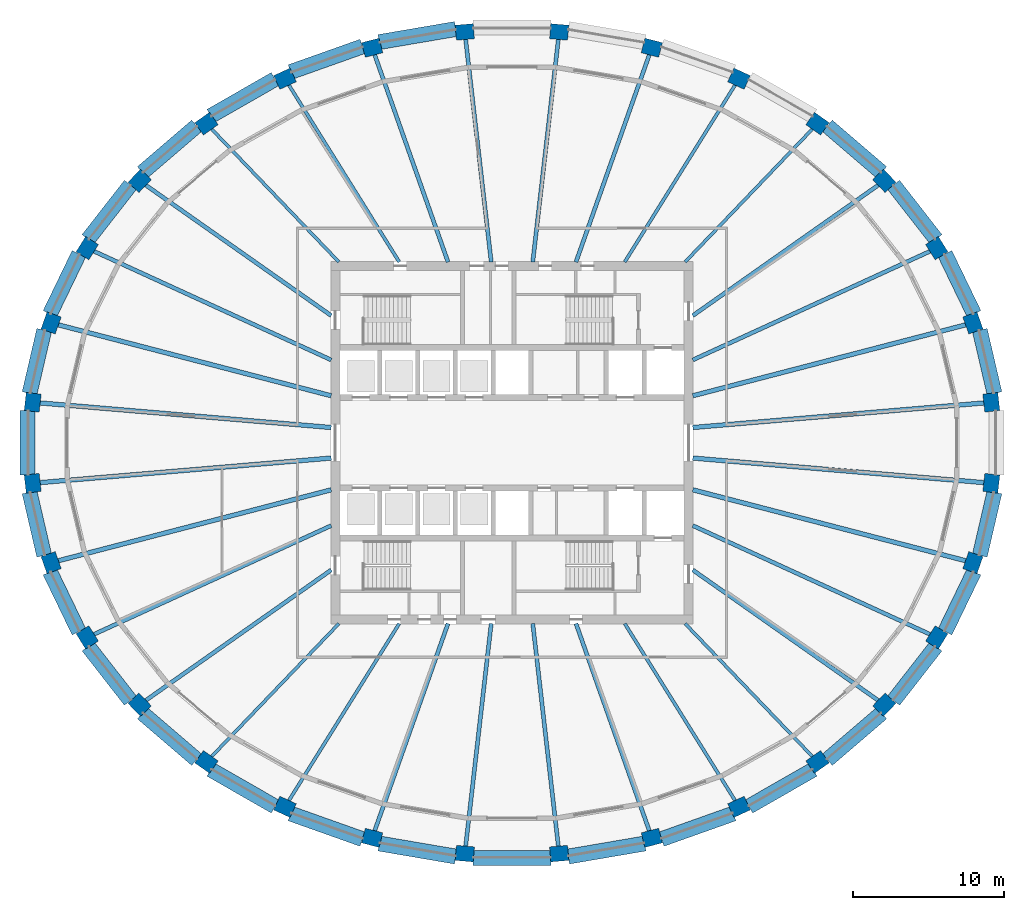
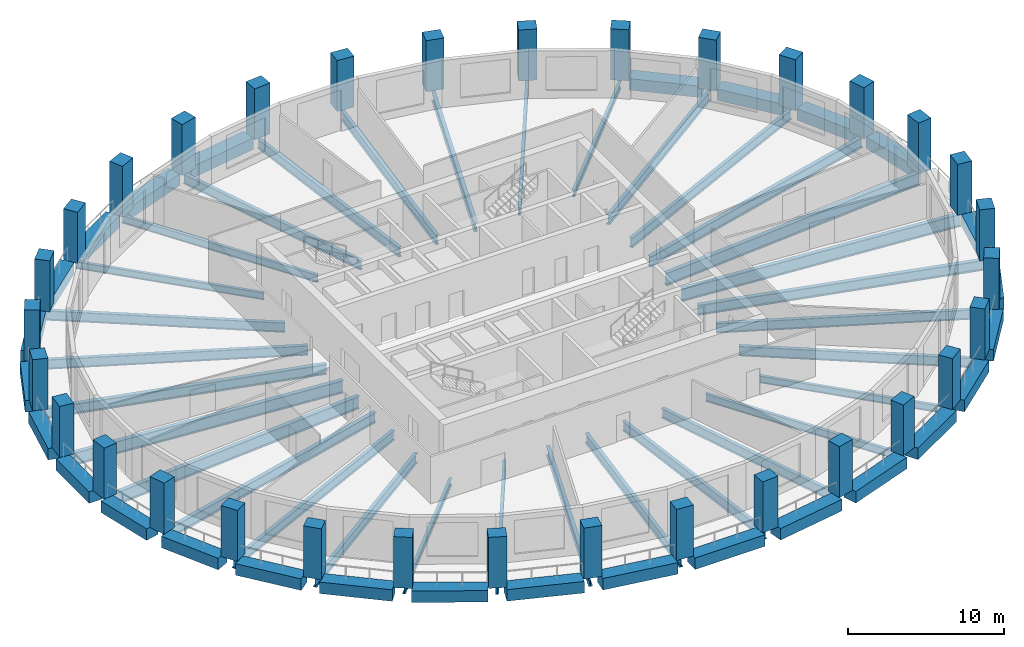
# One storey, part 1 of 10: 59 beams, 32 columns.
"""IFC4 building model written with IfcOpenShell, lengths in metres."""

from ifc_helpers import new_model, si_unit, direction, frame, origin, origin_2d, place, context, subcontext, project, spatial, rectangle, i_section, extrude, material, material_profile, profile_set, type_object, element, save


model = new_model("IFC4")

# Units and contexts
model_context = context("Model", 3, precision=1e-05, world=origin(), true_north=direction((0.0, 1.0)))
body_context = subcontext(model_context, "Body", "Model", "MODEL_VIEW")
ifc_project = project(units=[si_unit("LENGTHUNIT", "METRE"), si_unit("AREAUNIT", "SQUARE_METRE"), si_unit("VOLUMEUNIT", "CUBIC_METRE"), si_unit("PLANEANGLEUNIT", "RADIAN"), si_unit("MASSUNIT", "GRAM", prefix="KILO")], contexts=[model_context])

# Site, building, storey
site_placement = place(None, origin())
site = spatial("IfcSite", under=ifc_project, at=site_placement, CompositionType="ELEMENT")
building_placement = place(site_placement, origin())
building = spatial("IfcBuilding", under=site, at=building_placement, Name="Halqa Exchange Tower", CompositionType="ELEMENT")
storey_placement = place(building_placement, frame((0.0, 0.0, 210.89990234375)))
storey = spatial("IfcBuildingStorey", under=building, at=storey_placement, Name="L48", CompositionType="ELEMENT", Elevation=210.89990234375)

# Columns
ifc_material_1 = material(Name="Concrete C60/75", Category="concrete")
ifc_material_profile_1 = material_profile(ifc_material_1, rectangle(XDim=1.199951171875, YDim=1.0, at=origin_2d()), Name="1200 x 1000")
ifc_profile_set_1 = profile_set([ifc_material_profile_1], Name="Concrete C60/75")
column_type = type_object("IfcColumnType", Name="RC ring column 1200 x 1000 C60/75", PredefinedType="COLUMN", material=ifc_profile_set_1)
for number, where, z_axis, x_axis, name in (
    (1, (31.7412109375, 2.6796875, 0.0), (0.0, 0.0, 1.0), (-0.114156921978, 0.993462730637, 0.0), "Ring column 1"),
    (2, (30.521240234375, 7.935791015625, 0.0), (0.0, 0.0, 1.0), (-0.333625878908, 0.942705560036, 0.0), "Ring column 2"),
    (3, (28.128662109375, 12.88720703125, 0.0), (0.0, 0.0, 1.0), (-0.529144939165, 0.848531456904, 0.0), "Ring column 3"),
    (4, (24.65478515625, 17.34326171875, 0.0), (0.0, 0.0, 1.0), (-0.691574830638, 0.722304820438, 0.0), "Ring column 4"),
    (5, (20.23388671875, 21.1328125, 0.0), (0.0, 0.0, 1.0), (-0.817905775493, 0.575352189893, 0.0), "Ring column 5"),
    (6, (15.03515625, 24.110107421875, 0.0), (0.0, 0.0, 1.0), (-0.909129276708, 0.416514055265, 0.0), "Ring column 6"),
    (7, (9.258544921875, 26.1611328125, 0.0), (0.0, 0.0, 1.0), (-0.967818625157, 0.251648780643, 0.0), "Ring column 7"),
    (8, (3.126220703125, 27.206787109375, 0.0), (0.0, 0.0, 1.0), (-0.996454931683, 0.084128289675, 0.0), "Ring column 8"),
    (9, (-3.126220703125, 27.206787109375, 0.0), (0.0, 0.0, 1.0), (-0.996454931683, -0.084128289675, 0.0), "Ring column 9"),
    (10, (-9.258544921875, 26.1611328125, 0.0), (0.0, 0.0, 1.0), (-0.967818625157, -0.251648780643, 0.0), "Ring column 10"),
    (11, (-15.03515625, 24.110107421875, 0.0), (0.0, 0.0, 1.0), (-0.909129276708, -0.416514055265, 0.0), "Ring column 11"),
    (12, (-20.23388671875, 21.1328125, 0.0), (0.0, 0.0, 1.0), (-0.817905775493, -0.575352189893, 0.0), "Ring column 12"),
    (13, (-24.65478515625, 17.34326171875, 0.0), (0.0, 0.0, 1.0), (-0.691574830638, -0.722304820438, 0.0), "Ring column 13"),
    (14, (-28.128662109375, 12.88720703125, 0.0), (0.0, 0.0, 1.0), (-0.529144939165, -0.848531456904, 0.0), "Ring column 14"),
    (15, (-30.521240234375, 7.935791015625, 0.0), (0.0, 0.0, 1.0), (-0.333625878908, -0.942705560036, 0.0), "Ring column 15"),
    (16, (-31.7412109375, 2.6796875, 0.0), (0.0, 0.0, 1.0), (-0.114156921978, -0.993462730637, 0.0), "Ring column 16"),
    (17, (-31.7412109375, -2.6796875, 0.0), (0.0, 0.0, 1.0), (0.114156921978, -0.993462730637, 0.0), "Ring column 17"),
    (18, (-30.521240234375, -7.935791015625, 0.0), (0.0, 0.0, 1.0), (0.333625878908, -0.942705560036, 0.0), "Ring column 18"),
    (19, (-28.128662109375, -12.88720703125, 0.0), (0.0, 0.0, 1.0), (0.529144939165, -0.848531456904, 0.0), "Ring column 19"),
    (20, (-24.65478515625, -17.34326171875, 0.0), (0.0, 0.0, 1.0), (0.691574830638, -0.722304820438, 0.0), "Ring column 20"),
    (21, (-20.23388671875, -21.1328125, 0.0), (0.0, 0.0, 1.0), (0.817905775493, -0.575352189893, 0.0), "Ring column 21"),
    (22, (-15.03515625, -24.110107421875, 0.0), (0.0, 0.0, 1.0), (0.909129276708, -0.416514055265, 0.0), "Ring column 22"),
    (23, (-9.258544921875, -26.1611328125, 0.0), (0.0, 0.0, 1.0), (0.967818625157, -0.251648780643, 0.0), "Ring column 23"),
    (24, (-3.126220703125, -27.206787109375, 0.0), (0.0, 0.0, 1.0), (0.996454931683, -0.084128289675, 0.0), "Ring column 24"),
    (25, (3.126220703125, -27.206787109375, 0.0), (0.0, 0.0, 1.0), (0.996454931683, 0.084128289675, 0.0), "Ring column 25"),
    (26, (9.258544921875, -26.1611328125, 0.0), (0.0, 0.0, 1.0), (0.967818625157, 0.251648780643, 0.0), "Ring column 26"),
    (27, (15.03515625, -24.110107421875, 0.0), (0.0, 0.0, 1.0), (0.909129276708, 0.416514055265, 0.0), "Ring column 27"),
    (28, (20.23388671875, -21.1328125, 0.0), (0.0, 0.0, 1.0), (0.817905775493, 0.575352189893, 0.0), "Ring column 28"),
    (29, (24.65478515625, -17.34326171875, 0.0), (0.0, 0.0, 1.0), (0.691574830638, 0.722304820438, 0.0), "Ring column 29"),
    (30, (28.128662109375, -12.88720703125, 0.0), (0.0, 0.0, 1.0), (0.529144939165, 0.848531456904, 0.0), "Ring column 30"),
    (31, (30.521240234375, -7.935791015625, 0.0), (0.0, 0.0, 1.0), (0.333625878908, 0.942705560036, 0.0), "Ring column 31"),
    (32, (31.7412109375, -2.6796875, 0.0), (0.0, 0.0, 1.0), (0.114156921978, 0.993462730637, 0.0), "Ring column 32"),
):
    element("IfcColumn", number, at=place(storey_placement, frame(where, z_axis=z_axis, x_axis=x_axis)), inside=storey, type_object=column_type, Name=name, PredefinedType="COLUMN", context=body_context, shape_type="SweptSolid", body=[
        extrude(rectangle(XDim=1.199951171875, YDim=1.0, at=origin_2d()), origin(), (0.0, 0.0, 1.0), 4.0),
    ])

# Beams
ifc_material_2 = material(Name="Steel S355", Category="steel")
ifc_material_profile_2 = material_profile(ifc_material_2, i_section(OverallWidth=0.300048828125, OverallDepth=0.989990234375, WebThickness=0.0166015625, FlangeThickness=0.031005859375, FilletRadius=0.030029296875, at=origin_2d()), Name="HEA 1000")
ifc_profile_set_2 = profile_set([ifc_material_profile_2], Name="Steel S355")
beam_type_1 = type_object("IfcBeamType", Name="Floor beam HEA 1000", PredefinedType="BEAM", material=ifc_profile_set_2)
for number, where, z_axis, x_axis, name in (
    (33, (11.972412109375, 1.0107421875, -0.794921875), (0.996455847373, 0.084117443114, 0.0), (-0.084117443114, 0.996455847373, 0.0), "Radial beam 1"),
    (34, (-11.972412109375, 1.0107421875, -0.794921875), (-0.996455847373, 0.084117443114, 0.0), (-0.084117443114, -0.996455847373, 0.0), "Radial beam 16"),
    (35, (-11.972412109375, -1.0107421875, -0.794921875), (-0.996455847373, -0.084117443114, 0.0), (0.084117443114, -0.996455847373, 0.0), "Radial beam 17"),
    (36, (11.972412109375, -1.0107421875, -0.794921875), (0.996455847373, -0.084117443114, 0.0), (0.084117443114, 0.996455847373, 0.0), "Radial beam 32"),
):
    element("IfcBeam", number, at=place(storey_placement, frame(where, z_axis=z_axis, x_axis=x_axis)), inside=storey, type_object=beam_type_1, Name=name, PredefinedType="BEAM", context=body_context, shape_type="SweptSolid", body=[
        extrude(i_section(OverallWidth=0.300048828125, OverallDepth=0.989990234375, WebThickness=0.0166015625, FlangeThickness=0.031005859375, FilletRadius=0.030029296875, at=origin_2d()), origin(), (0.0, 0.0, 1.0), 19.808837890625),
    ])
ifc_material_profile_3 = material_profile(ifc_material_2, i_section(OverallWidth=0.300048828125, OverallDepth=0.800048828125, WebThickness=0.017578125, FlangeThickness=0.032958984375, FilletRadius=0.030029296875, at=origin_2d()), Name="HEB 800")
ifc_profile_set_3 = profile_set([ifc_material_profile_3], Name="Steel S355")
beam_type_2 = type_object("IfcBeamType", Name="Floor beam HEB 800", PredefinedType="BEAM", material=ifc_profile_set_3)
for number, where, z_axis, x_axis, name in (
    (37, (11.97119140625, 3.11279296875, -0.699951171875), (0.967820642046, 0.251641023741, 0.0), (-0.251641023741, 0.967820642046, 0.0), "Radial beam 2"),
    (38, (-11.97119140625, 3.11279296875, -0.699951171875), (-0.967820642046, 0.251641023741, 0.0), (-0.251641023741, -0.967820642046, 0.0), "Radial beam 15"),
    (39, (-11.97119140625, -3.11279296875, -0.699951171875), (-0.967820642046, -0.251641023741, 0.0), (0.251641023741, -0.967820642046, 0.0), "Radial beam 18"),
    (40, (11.97119140625, -3.11279296875, -0.699951171875), (0.967820642046, -0.251641023741, 0.0), (0.251641023741, 0.967820642046, 0.0), "Radial beam 31"),
):
    element("IfcBeam", number, at=place(storey_placement, frame(where, z_axis=z_axis, x_axis=x_axis)), inside=storey, type_object=beam_type_2, Name=name, PredefinedType="BEAM", context=body_context, shape_type="SweptSolid", body=[
        extrude(i_section(OverallWidth=0.300048828125, OverallDepth=0.800048828125, WebThickness=0.017578125, FlangeThickness=0.032958984375, FilletRadius=0.030029296875, at=origin_2d()), origin(), (0.0, 0.0, 1.0), 19.13134765625),
    ])
ifc_material_profile_4 = material_profile(ifc_material_2, i_section(OverallWidth=0.2099609375, OverallDepth=0.550048828125, WebThickness=0.010986328125, FlangeThickness=0.01708984375, FilletRadius=0.02392578125, at=origin_2d()), Name="IPE 550")
ifc_profile_set_4 = profile_set([ifc_material_profile_4], Name="Steel S355")
beam_type_3 = type_object("IfcBeamType", Name="Floor beam IPE 550", PredefinedType="BEAM", material=ifc_profile_set_4)
for number, where, z_axis, x_axis, name in (
    (41, (11.462646484375, 11.971923828125, -0.574951171875), (0.691580517916, 0.722299375079, 0.0), (-0.722299375079, 0.691580517916, 0.0), "Radial beam 5"),
    (42, (-11.462646484375, 11.971923828125, -0.574951171875), (-0.691580517916, 0.722299375079, 0.0), (-0.722299375079, -0.691580517916, 0.0), "Radial beam 12"),
    (43, (-11.462646484375, -11.971923828125, -0.574951171875), (-0.691580517916, -0.722299375079, 0.0), (0.722299375079, -0.691580517916, 0.0), "Radial beam 21"),
    (44, (11.462646484375, -11.971923828125, -0.574951171875), (0.691580517916, -0.722299375079, 0.0), (0.722299375079, 0.691580517916, 0.0), "Radial beam 28"),
):
    element("IfcBeam", number, at=place(storey_placement, frame(where, z_axis=z_axis, x_axis=x_axis)), inside=storey, type_object=beam_type_3, Name=name, PredefinedType="BEAM", context=body_context, shape_type="SweptSolid", body=[
        extrude(i_section(OverallWidth=0.2099609375, OverallDepth=0.550048828125, WebThickness=0.010986328125, FlangeThickness=0.01708984375, FilletRadius=0.02392578125, at=origin_2d()), origin(), (0.0, 0.0, 1.0), 12.620849609375),
    ])
ifc_material_profile_5 = material_profile(ifc_material_2, i_section(OverallWidth=0.219970703125, OverallDepth=0.60009765625, WebThickness=0.011962890625, FlangeThickness=0.01904296875, FilletRadius=0.02392578125, at=origin_2d()), Name="IPE 600")
ifc_profile_set_5 = profile_set([ifc_material_profile_5], Name="Steel S355")
beam_type_4 = type_object("IfcBeamType", Name="Floor beam IPE 600", PredefinedType="BEAM", material=ifc_profile_set_5)
for number, where, z_axis, x_axis, name in (
    (45, (7.466064453125, 11.972412109375, -0.599853515625), (0.529133693888, 0.848538469365, 0.0), (-0.848538469365, 0.529133693888, 0.0), "Radial beam 6"),
    (46, (-7.466064453125, 11.972412109375, -0.599853515625), (-0.529133693888, 0.848538469365, 0.0), (-0.848538469365, -0.529133693888, 0.0), "Radial beam 11"),
    (47, (-7.466064453125, -11.972412109375, -0.599853515625), (-0.529133693888, -0.848538469365, 0.0), (0.848538469365, -0.529133693888, 0.0), "Radial beam 22"),
    (48, (7.466064453125, -11.972412109375, -0.599853515625), (0.529133693888, -0.848538469365, 0.0), (0.848538469365, 0.529133693888, 0.0), "Radial beam 27"),
):
    element("IfcBeam", number, at=place(storey_placement, frame(where, z_axis=z_axis, x_axis=x_axis)), inside=storey, type_object=beam_type_4, Name=name, PredefinedType="BEAM", context=body_context, shape_type="SweptSolid", body=[
        extrude(i_section(OverallWidth=0.219970703125, OverallDepth=0.60009765625, WebThickness=0.011962890625, FlangeThickness=0.01904296875, FilletRadius=0.02392578125, at=origin_2d()), origin(), (0.0, 0.0, 1.0), 14.233154296875),
    ])
ifc_material_profile_6 = material_profile(ifc_material_2, i_section(OverallWidth=0.264892578125, OverallDepth=0.7529296875, WebThickness=0.01318359375, FlangeThickness=0.01708984375, FilletRadius=0.01708984375, at=origin_2d()), Name="IPE 750x147")
ifc_profile_set_6 = profile_set([ifc_material_profile_6], Name="Steel S355")
beam_type_5 = type_object("IfcBeamType", Name="Floor beam IPE 750x147", PredefinedType="BEAM", material=ifc_profile_set_6)
beam_1_placement = place(storey_placement, frame((11.972412109375, 5.485107421875, -0.676513671875), z_axis=(0.909122412796, 0.416529036866, 0.0), x_axis=(-0.416529036866, 0.909122412796, 0.0)))
element("IfcBeam", 49, at=beam_1_placement, inside=storey, type_object=beam_type_5, Name="Radial beam 3", PredefinedType="BEAM", context=body_context, shape_type="SweptSolid", body=[
    extrude(i_section(OverallWidth=0.264892578125, OverallDepth=0.7529296875, WebThickness=0.01318359375, FlangeThickness=0.01708984375, FilletRadius=0.01708984375, at=origin_2d()), origin(), (0.0, 0.0, 1.0), 17.72705078125),
])
beam_2_placement = place(storey_placement, frame((11.97216796875, 8.421630859375, -0.676513671875), z_axis=(0.817904167893, 0.575354475209, 0.0), x_axis=(-0.575354475209, 0.817904167893, 0.0)))
element("IfcBeam", 50, at=beam_2_placement, inside=storey, type_object=beam_type_5, Name="Radial beam 4", PredefinedType="BEAM", context=body_context, shape_type="SweptSolid", body=[
    extrude(i_section(OverallWidth=0.264892578125, OverallDepth=0.7529296875, WebThickness=0.01318359375, FlangeThickness=0.01708984375, FilletRadius=0.01708984375, at=origin_2d()), origin(), (0.0, 0.0, 1.0), 15.45361328125),
])
beam_3_placement = place(storey_placement, frame((4.23681640625, 11.9716796875, -0.676513671875), z_axis=(0.333619887143, 0.942707680515, 0.0), x_axis=(-0.942707680515, 0.333619887143, 0.0)))
element("IfcBeam", 51, at=beam_3_placement, inside=storey, type_object=beam_type_5, Name="Radial beam 7", PredefinedType="BEAM", context=body_context, shape_type="SweptSolid", body=[
    extrude(i_section(OverallWidth=0.264892578125, OverallDepth=0.7529296875, WebThickness=0.01318359375, FlangeThickness=0.01708984375, FilletRadius=0.01708984375, at=origin_2d()), origin(), (0.0, 0.0, 1.0), 14.975341796875),
])
for number, where, z_axis, x_axis, name in (
    (52, (1.375732421875, 11.972900390625, -0.676513671875), (0.114150913868, 0.993463420999, 0.0), (-0.993463420999, 0.114150913868, 0.0), "Radial beam 8"),
    (53, (-1.375732421875, 11.972900390625, -0.676513671875), (-0.114150913868, 0.993463420999, 0.0), (-0.993463420999, -0.114150913868, 0.0), "Radial beam 9"),
):
    element("IfcBeam", number, at=place(storey_placement, frame(where, z_axis=z_axis, x_axis=x_axis)), inside=storey, type_object=beam_type_5, Name=name, PredefinedType="BEAM", context=body_context, shape_type="SweptSolid", body=[
        extrude(i_section(OverallWidth=0.264892578125, OverallDepth=0.7529296875, WebThickness=0.01318359375, FlangeThickness=0.01708984375, FilletRadius=0.01708984375, at=origin_2d()), origin(), (0.0, 0.0, 1.0), 15.255615234375),
    ])
beam_4_placement = place(storey_placement, frame((-4.23681640625, 11.9716796875, -0.676513671875), z_axis=(-0.333619887143, 0.942707680515, 0.0), x_axis=(-0.942707680515, -0.333619887143, 0.0)))
element("IfcBeam", 54, at=beam_4_placement, inside=storey, type_object=beam_type_5, Name="Radial beam 10", PredefinedType="BEAM", context=body_context, shape_type="SweptSolid", body=[
    extrude(i_section(OverallWidth=0.264892578125, OverallDepth=0.7529296875, WebThickness=0.01318359375, FlangeThickness=0.01708984375, FilletRadius=0.01708984375, at=origin_2d()), origin(), (0.0, 0.0, 1.0), 14.975341796875),
])
beam_5_placement = place(storey_placement, frame((-11.97216796875, 8.421630859375, -0.676513671875), z_axis=(-0.817904167893, 0.575354475209, 0.0), x_axis=(-0.575354475209, -0.817904167893, 0.0)))
element("IfcBeam", 55, at=beam_5_placement, inside=storey, type_object=beam_type_5, Name="Radial beam 13", PredefinedType="BEAM", context=body_context, shape_type="SweptSolid", body=[
    extrude(i_section(OverallWidth=0.264892578125, OverallDepth=0.7529296875, WebThickness=0.01318359375, FlangeThickness=0.01708984375, FilletRadius=0.01708984375, at=origin_2d()), origin(), (0.0, 0.0, 1.0), 15.45361328125),
])
for number, where, z_axis, x_axis, name in (
    (56, (-11.972412109375, 5.485107421875, -0.676513671875), (-0.909122412796, 0.416529036866, 0.0), (-0.416529036866, -0.909122412796, 0.0), "Radial beam 14"),
    (57, (-11.972412109375, -5.485107421875, -0.676513671875), (-0.909122412796, -0.416529036866, 0.0), (0.416529036866, -0.909122412796, 0.0), "Radial beam 19"),
):
    element("IfcBeam", number, at=place(storey_placement, frame(where, z_axis=z_axis, x_axis=x_axis)), inside=storey, type_object=beam_type_5, Name=name, PredefinedType="BEAM", context=body_context, shape_type="SweptSolid", body=[
        extrude(i_section(OverallWidth=0.264892578125, OverallDepth=0.7529296875, WebThickness=0.01318359375, FlangeThickness=0.01708984375, FilletRadius=0.01708984375, at=origin_2d()), origin(), (0.0, 0.0, 1.0), 17.72705078125),
    ])
beam_6_placement = place(storey_placement, frame((-11.97216796875, -8.421630859375, -0.676513671875), z_axis=(-0.817904167893, -0.575354475209, 0.0), x_axis=(0.575354475209, -0.817904167893, 0.0)))
element("IfcBeam", 58, at=beam_6_placement, inside=storey, type_object=beam_type_5, Name="Radial beam 20", PredefinedType="BEAM", context=body_context, shape_type="SweptSolid", body=[
    extrude(i_section(OverallWidth=0.264892578125, OverallDepth=0.7529296875, WebThickness=0.01318359375, FlangeThickness=0.01708984375, FilletRadius=0.01708984375, at=origin_2d()), origin(), (0.0, 0.0, 1.0), 15.45361328125),
])
beam_7_placement = place(storey_placement, frame((-4.23681640625, -11.9716796875, -0.676513671875), z_axis=(-0.333619887143, -0.942707680515, 0.0), x_axis=(0.942707680515, -0.333619887143, 0.0)))
element("IfcBeam", 59, at=beam_7_placement, inside=storey, type_object=beam_type_5, Name="Radial beam 23", PredefinedType="BEAM", context=body_context, shape_type="SweptSolid", body=[
    extrude(i_section(OverallWidth=0.264892578125, OverallDepth=0.7529296875, WebThickness=0.01318359375, FlangeThickness=0.01708984375, FilletRadius=0.01708984375, at=origin_2d()), origin(), (0.0, 0.0, 1.0), 14.975341796875),
])
for number, where, z_axis, x_axis, name in (
    (60, (-1.375732421875, -11.972900390625, -0.676513671875), (-0.114150913868, -0.993463420999, 0.0), (0.993463420999, -0.114150913868, 0.0), "Radial beam 24"),
    (61, (1.375732421875, -11.972900390625, -0.676513671875), (0.114150913868, -0.993463420999, 0.0), (0.993463420999, 0.114150913868, 0.0), "Radial beam 25"),
):
    element("IfcBeam", number, at=place(storey_placement, frame(where, z_axis=z_axis, x_axis=x_axis)), inside=storey, type_object=beam_type_5, Name=name, PredefinedType="BEAM", context=body_context, shape_type="SweptSolid", body=[
        extrude(i_section(OverallWidth=0.264892578125, OverallDepth=0.7529296875, WebThickness=0.01318359375, FlangeThickness=0.01708984375, FilletRadius=0.01708984375, at=origin_2d()), origin(), (0.0, 0.0, 1.0), 15.255615234375),
    ])
beam_8_placement = place(storey_placement, frame((4.23681640625, -11.9716796875, -0.676513671875), z_axis=(0.333619887143, -0.942707680515, 0.0), x_axis=(0.942707680515, 0.333619887143, 0.0)))
element("IfcBeam", 62, at=beam_8_placement, inside=storey, type_object=beam_type_5, Name="Radial beam 26", PredefinedType="BEAM", context=body_context, shape_type="SweptSolid", body=[
    extrude(i_section(OverallWidth=0.264892578125, OverallDepth=0.7529296875, WebThickness=0.01318359375, FlangeThickness=0.01708984375, FilletRadius=0.01708984375, at=origin_2d()), origin(), (0.0, 0.0, 1.0), 14.975341796875),
])
beam_9_placement = place(storey_placement, frame((11.97216796875, -8.421630859375, -0.676513671875), z_axis=(0.817904167893, -0.575354475209, 0.0), x_axis=(0.575354475209, 0.817904167893, 0.0)))
element("IfcBeam", 63, at=beam_9_placement, inside=storey, type_object=beam_type_5, Name="Radial beam 29", PredefinedType="BEAM", context=body_context, shape_type="SweptSolid", body=[
    extrude(i_section(OverallWidth=0.264892578125, OverallDepth=0.7529296875, WebThickness=0.01318359375, FlangeThickness=0.01708984375, FilletRadius=0.01708984375, at=origin_2d()), origin(), (0.0, 0.0, 1.0), 15.45361328125),
])
beam_10_placement = place(storey_placement, frame((11.972412109375, -5.485107421875, -0.676513671875), z_axis=(0.909122412796, -0.416529036866, 0.0), x_axis=(0.416529036866, 0.909122412796, 0.0)))
element("IfcBeam", 64, at=beam_10_placement, inside=storey, type_object=beam_type_5, Name="Radial beam 30", PredefinedType="BEAM", context=body_context, shape_type="SweptSolid", body=[
    extrude(i_section(OverallWidth=0.264892578125, OverallDepth=0.7529296875, WebThickness=0.01318359375, FlangeThickness=0.01708984375, FilletRadius=0.01708984375, at=origin_2d()), origin(), (0.0, 0.0, 1.0), 17.72705078125),
])
ifc_material_profile_7 = material_profile(ifc_material_1, rectangle(XDim=1.0, YDim=0.89990234375, at=origin_2d()), Name="1000 x 900")
ifc_profile_set_7 = profile_set([ifc_material_profile_7], Name="Concrete C60/75")
beam_type_6 = type_object("IfcBeamType", Name="RC spandrel beam 1000 x 900 C60/75", PredefinedType="SPANDREL", material=ifc_profile_set_7)
beam_11_placement = place(storey_placement, frame((31.951416015625, 3.269775390625, -0.449951171875), z_axis=(-0.226102781775, 0.974103450396, 0.0), x_axis=(-0.974103450396, -0.226102781775, 0.0)))
element("IfcBeam", 65, at=beam_11_placement, inside=storey, type_object=beam_type_6, Name="Spandrel 1", PredefinedType="SPANDREL", context=body_context, shape_type="SweptSolid", body=[
    extrude(rectangle(XDim=1.0, YDim=0.89990234375, at=origin_2d()), origin(), (0.0, 0.0, 1.0), 4.3017578125),
])
beam_12_placement = place(storey_placement, frame((30.5986328125, 8.53857421875, -0.449951171875), z_axis=(-0.435097564922, 0.900383312261, 0.0), x_axis=(-0.900383312261, -0.435097564922, 0.0)))
element("IfcBeam", 66, at=beam_12_placement, inside=storey, type_object=beam_type_6, Name="Spandrel 2", PredefinedType="SPANDREL", context=body_context, shape_type="SweptSolid", body=[
    extrude(rectangle(XDim=1.0, YDim=0.89990234375, at=origin_2d()), origin(), (0.0, 0.0, 1.0), 4.407470703125),
])
beam_13_placement = place(storey_placement, frame((28.0771484375, 13.478515625, -0.449951171875), z_axis=(-0.614814790749, 0.788671524195, 0.0), x_axis=(-0.788671524195, -0.614814790749, 0.0)))
element("IfcBeam", 67, at=beam_13_placement, inside=storey, type_object=beam_type_6, Name="Spandrel 3", PredefinedType="SPANDREL", context=body_context, shape_type="SweptSolid", body=[
    extrude(rectangle(XDim=1.0, YDim=0.89990234375, at=origin_2d()), origin(), (0.0, 0.0, 1.0), 4.56103515625),
])
beam_14_placement = place(storey_placement, frame((24.483642578125, 17.902587890625, -0.449951171875), z_axis=(-0.759242050572, 0.650808350164, 0.0), x_axis=(-0.650808350164, -0.759242050572, 0.0)))
element("IfcBeam", 68, at=beam_14_placement, inside=storey, type_object=beam_type_6, Name="Spandrel 4", PredefinedType="SPANDREL", context=body_context, shape_type="SweptSolid", body=[
    extrude(rectangle(XDim=1.0, YDim=0.89990234375, at=origin_2d()), origin(), (0.0, 0.0, 1.0), 4.7373046875),
])
beam_15_placement = place(storey_placement, frame((-3.725341796875, 27.402099609375, -0.449951171875), z_axis=(-0.985769464363, -0.168102834982, 0.0), x_axis=(0.168102834982, -0.985769464363, 0.0)))
element("IfcBeam", 69, at=beam_15_placement, inside=storey, type_object=beam_type_6, Name="Spandrel 9", PredefinedType="SPANDREL", context=body_context, shape_type="SweptSolid", body=[
    extrude(rectangle(XDim=1.0, YDim=0.89990234375, at=origin_2d()), origin(), (0.0, 0.0, 1.0), 5.139892578125),
])
beam_16_placement = place(storey_placement, frame((-9.8994140625, 26.24951171875, -0.449951171875), z_axis=(-0.942356423525, -0.334610775442, 0.0), x_axis=(0.334610775442, -0.942356423525, 0.0)))
element("IfcBeam", 70, at=beam_16_placement, inside=storey, type_object=beam_type_6, Name="Spandrel 10", PredefinedType="SPANDREL", context=body_context, shape_type="SweptSolid", body=[
    extrude(rectangle(XDim=1.0, YDim=0.89990234375, at=origin_2d()), origin(), (0.0, 0.0, 1.0), 5.047607421875),
])
beam_17_placement = place(storey_placement, frame((-15.694580078125, 24.08349609375, -0.449951171875), z_axis=(-0.867758828844, -0.496985527921, 0.0), x_axis=(0.496985527921, -0.867758828844, 0.0)))
element("IfcBeam", 71, at=beam_17_placement, inside=storey, type_object=beam_type_6, Name="Spandrel 11", PredefinedType="SPANDREL", context=body_context, shape_type="SweptSolid", body=[
    extrude(rectangle(XDim=1.0, YDim=0.89990234375, at=origin_2d()), origin(), (0.0, 0.0, 1.0), 4.905517578125),
])
beam_18_placement = place(storey_placement, frame((-20.886962890625, 20.985595703125, -0.449951171875), z_axis=(-0.759242050572, -0.650808350164, 0.0), x_axis=(0.650808350164, -0.759242050572, 0.0)))
element("IfcBeam", 72, at=beam_18_placement, inside=storey, type_object=beam_type_6, Name="Spandrel 12", PredefinedType="SPANDREL", context=body_context, shape_type="SweptSolid", body=[
    extrude(rectangle(XDim=1.0, YDim=0.89990234375, at=origin_2d()), origin(), (0.0, 0.0, 1.0), 4.7373046875),
])
beam_19_placement = place(storey_placement, frame((-25.27294921875, 17.07568359375, -0.449951171875), z_axis=(-0.614814790749, -0.788671524195, 0.0), x_axis=(0.788671524195, -0.614814790749, 0.0)))
element("IfcBeam", 73, at=beam_19_placement, inside=storey, type_object=beam_type_6, Name="Spandrel 13", PredefinedType="SPANDREL", context=body_context, shape_type="SweptSolid", body=[
    extrude(rectangle(XDim=1.0, YDim=0.89990234375, at=origin_2d()), origin(), (0.0, 0.0, 1.0), 4.56103515625),
])
beam_20_placement = place(storey_placement, frame((-28.680908203125, 12.507080078125, -0.449951171875), z_axis=(-0.435097564922, -0.900383312261, 0.0), x_axis=(0.900383312261, -0.435097564922, 0.0)))
element("IfcBeam", 74, at=beam_20_placement, inside=storey, type_object=beam_type_6, Name="Spandrel 14", PredefinedType="SPANDREL", context=body_context, shape_type="SweptSolid", body=[
    extrude(rectangle(XDim=1.0, YDim=0.89990234375, at=origin_2d()), origin(), (0.0, 0.0, 1.0), 4.407470703125),
])
beam_21_placement = place(storey_placement, frame((-30.978759765625, 7.460205078125, -0.449951171875), z_axis=(-0.226102781775, -0.974103450396, 0.0), x_axis=(0.974103450396, -0.226102781775, 0.0)))
element("IfcBeam", 75, at=beam_21_placement, inside=storey, type_object=beam_type_6, Name="Spandrel 15", PredefinedType="SPANDREL", context=body_context, shape_type="SweptSolid", body=[
    extrude(rectangle(XDim=1.0, YDim=0.89990234375, at=origin_2d()), origin(), (0.0, 0.0, 1.0), 4.3017578125),
])
beam_22_placement = place(storey_placement, frame((-32.08154296875, 2.131591796875, -0.449951171875), z_axis=(0.0, -1.0, 0.0), x_axis=(1.0, 0.0, 0.0)))
element("IfcBeam", 76, at=beam_22_placement, inside=storey, type_object=beam_type_6, Name="Spandrel 16", PredefinedType="SPANDREL", context=body_context, shape_type="SweptSolid", body=[
    extrude(rectangle(XDim=1.0, YDim=0.89990234375, at=origin_2d()), origin(), (0.0, 0.0, 1.0), 4.26318359375),
])
beam_23_placement = place(storey_placement, frame((-31.951416015625, -3.269775390625, -0.449951171875), z_axis=(0.226102781775, -0.974103450396, 0.0), x_axis=(0.974103450396, 0.226102781775, 0.0)))
element("IfcBeam", 77, at=beam_23_placement, inside=storey, type_object=beam_type_6, Name="Spandrel 17", PredefinedType="SPANDREL", context=body_context, shape_type="SweptSolid", body=[
    extrude(rectangle(XDim=1.0, YDim=0.89990234375, at=origin_2d()), origin(), (0.0, 0.0, 1.0), 4.3017578125),
])
beam_24_placement = place(storey_placement, frame((-30.5986328125, -8.53857421875, -0.449951171875), z_axis=(0.435097564922, -0.900383312261, 0.0), x_axis=(0.900383312261, 0.435097564922, 0.0)))
element("IfcBeam", 78, at=beam_24_placement, inside=storey, type_object=beam_type_6, Name="Spandrel 18", PredefinedType="SPANDREL", context=body_context, shape_type="SweptSolid", body=[
    extrude(rectangle(XDim=1.0, YDim=0.89990234375, at=origin_2d()), origin(), (0.0, 0.0, 1.0), 4.407470703125),
])
beam_25_placement = place(storey_placement, frame((-28.0771484375, -13.478515625, -0.449951171875), z_axis=(0.614814790749, -0.788671524195, 0.0), x_axis=(0.788671524195, 0.614814790749, 0.0)))
element("IfcBeam", 79, at=beam_25_placement, inside=storey, type_object=beam_type_6, Name="Spandrel 19", PredefinedType="SPANDREL", context=body_context, shape_type="SweptSolid", body=[
    extrude(rectangle(XDim=1.0, YDim=0.89990234375, at=origin_2d()), origin(), (0.0, 0.0, 1.0), 4.56103515625),
])
beam_26_placement = place(storey_placement, frame((-24.483642578125, -17.902587890625, -0.449951171875), z_axis=(0.759242050572, -0.650808350164, 0.0), x_axis=(0.650808350164, 0.759242050572, 0.0)))
element("IfcBeam", 80, at=beam_26_placement, inside=storey, type_object=beam_type_6, Name="Spandrel 20", PredefinedType="SPANDREL", context=body_context, shape_type="SweptSolid", body=[
    extrude(rectangle(XDim=1.0, YDim=0.89990234375, at=origin_2d()), origin(), (0.0, 0.0, 1.0), 4.7373046875),
])
beam_27_placement = place(storey_placement, frame((-19.951416015625, -21.6455078125, -0.449951171875), z_axis=(0.867758828844, -0.496985527921, 0.0), x_axis=(0.496985527921, 0.867758828844, 0.0)))
element("IfcBeam", 81, at=beam_27_placement, inside=storey, type_object=beam_type_6, Name="Spandrel 21", PredefinedType="SPANDREL", context=body_context, shape_type="SweptSolid", body=[
    extrude(rectangle(XDim=1.0, YDim=0.89990234375, at=origin_2d()), origin(), (0.0, 0.0, 1.0), 4.905517578125),
])
beam_28_placement = place(storey_placement, frame((-14.656005859375, -24.560546875, -0.449951171875), z_axis=(0.942356423525, -0.334610775442, 0.0), x_axis=(0.334610775442, 0.942356423525, 0.0)))
element("IfcBeam", 82, at=beam_28_placement, inside=storey, type_object=beam_type_6, Name="Spandrel 22", PredefinedType="SPANDREL", context=body_context, shape_type="SweptSolid", body=[
    extrude(rectangle(XDim=1.0, YDim=0.89990234375, at=origin_2d()), origin(), (0.0, 0.0, 1.0), 5.047607421875),
])
beam_29_placement = place(storey_placement, frame((-8.7919921875, -26.5380859375, -0.449951171875), z_axis=(0.985769464363, -0.168102834982, 0.0), x_axis=(0.168102834982, 0.985769464363, 0.0)))
element("IfcBeam", 83, at=beam_29_placement, inside=storey, type_object=beam_type_6, Name="Spandrel 23", PredefinedType="SPANDREL", context=body_context, shape_type="SweptSolid", body=[
    extrude(rectangle(XDim=1.0, YDim=0.89990234375, at=origin_2d()), origin(), (0.0, 0.0, 1.0), 5.139892578125),
])
beam_30_placement = place(storey_placement, frame((-2.586181640625, -27.498291015625, -0.449951171875), z_axis=(1.0, 0.0, 0.0), x_axis=(0.0, 1.0, 0.0)))
element("IfcBeam", 84, at=beam_30_placement, inside=storey, type_object=beam_type_6, Name="Spandrel 24", PredefinedType="SPANDREL", context=body_context, shape_type="SweptSolid", body=[
    extrude(rectangle(XDim=1.0, YDim=0.89990234375, at=origin_2d()), origin(), (0.0, 0.0, 1.0), 5.17236328125),
])
beam_31_placement = place(storey_placement, frame((3.725341796875, -27.402099609375, -0.449951171875), z_axis=(0.985769464363, 0.168102834982, 0.0), x_axis=(-0.168102834982, 0.985769464363, 0.0)))
element("IfcBeam", 85, at=beam_31_placement, inside=storey, type_object=beam_type_6, Name="Spandrel 25", PredefinedType="SPANDREL", context=body_context, shape_type="SweptSolid", body=[
    extrude(rectangle(XDim=1.0, YDim=0.89990234375, at=origin_2d()), origin(), (0.0, 0.0, 1.0), 5.139892578125),
])
beam_32_placement = place(storey_placement, frame((9.8994140625, -26.24951171875, -0.449951171875), z_axis=(0.942356423525, 0.334610775442, 0.0), x_axis=(-0.334610775442, 0.942356423525, 0.0)))
element("IfcBeam", 86, at=beam_32_placement, inside=storey, type_object=beam_type_6, Name="Spandrel 26", PredefinedType="SPANDREL", context=body_context, shape_type="SweptSolid", body=[
    extrude(rectangle(XDim=1.0, YDim=0.89990234375, at=origin_2d()), origin(), (0.0, 0.0, 1.0), 5.047607421875),
])
beam_33_placement = place(storey_placement, frame((15.694580078125, -24.08349609375, -0.449951171875), z_axis=(0.867758828844, 0.496985527921, 0.0), x_axis=(-0.496985527921, 0.867758828844, 0.0)))
element("IfcBeam", 87, at=beam_33_placement, inside=storey, type_object=beam_type_6, Name="Spandrel 27", PredefinedType="SPANDREL", context=body_context, shape_type="SweptSolid", body=[
    extrude(rectangle(XDim=1.0, YDim=0.89990234375, at=origin_2d()), origin(), (0.0, 0.0, 1.0), 4.905517578125),
])
beam_34_placement = place(storey_placement, frame((20.886962890625, -20.985595703125, -0.449951171875), z_axis=(0.759242050572, 0.650808350164, 0.0), x_axis=(-0.650808350164, 0.759242050572, 0.0)))
element("IfcBeam", 88, at=beam_34_placement, inside=storey, type_object=beam_type_6, Name="Spandrel 28", PredefinedType="SPANDREL", context=body_context, shape_type="SweptSolid", body=[
    extrude(rectangle(XDim=1.0, YDim=0.89990234375, at=origin_2d()), origin(), (0.0, 0.0, 1.0), 4.7373046875),
])
beam_35_placement = place(storey_placement, frame((25.27294921875, -17.07568359375, -0.449951171875), z_axis=(0.614814790749, 0.788671524195, 0.0), x_axis=(-0.788671524195, 0.614814790749, 0.0)))
element("IfcBeam", 89, at=beam_35_placement, inside=storey, type_object=beam_type_6, Name="Spandrel 29", PredefinedType="SPANDREL", context=body_context, shape_type="SweptSolid", body=[
    extrude(rectangle(XDim=1.0, YDim=0.89990234375, at=origin_2d()), origin(), (0.0, 0.0, 1.0), 4.56103515625),
])
beam_36_placement = place(storey_placement, frame((28.680908203125, -12.507080078125, -0.449951171875), z_axis=(0.435097564922, 0.900383312261, 0.0), x_axis=(-0.900383312261, 0.435097564922, 0.0)))
element("IfcBeam", 90, at=beam_36_placement, inside=storey, type_object=beam_type_6, Name="Spandrel 30", PredefinedType="SPANDREL", context=body_context, shape_type="SweptSolid", body=[
    extrude(rectangle(XDim=1.0, YDim=0.89990234375, at=origin_2d()), origin(), (0.0, 0.0, 1.0), 4.407470703125),
])
beam_37_placement = place(storey_placement, frame((30.978759765625, -7.460205078125, -0.449951171875), z_axis=(0.226102781775, 0.974103450396, 0.0), x_axis=(-0.974103450396, 0.226102781775, 0.0)))
element("IfcBeam", 91, at=beam_37_placement, inside=storey, type_object=beam_type_6, Name="Spandrel 31", PredefinedType="SPANDREL", context=body_context, shape_type="SweptSolid", body=[
    extrude(rectangle(XDim=1.0, YDim=0.89990234375, at=origin_2d()), origin(), (0.0, 0.0, 1.0), 4.3017578125),
])

save(model, "model.ifc")
